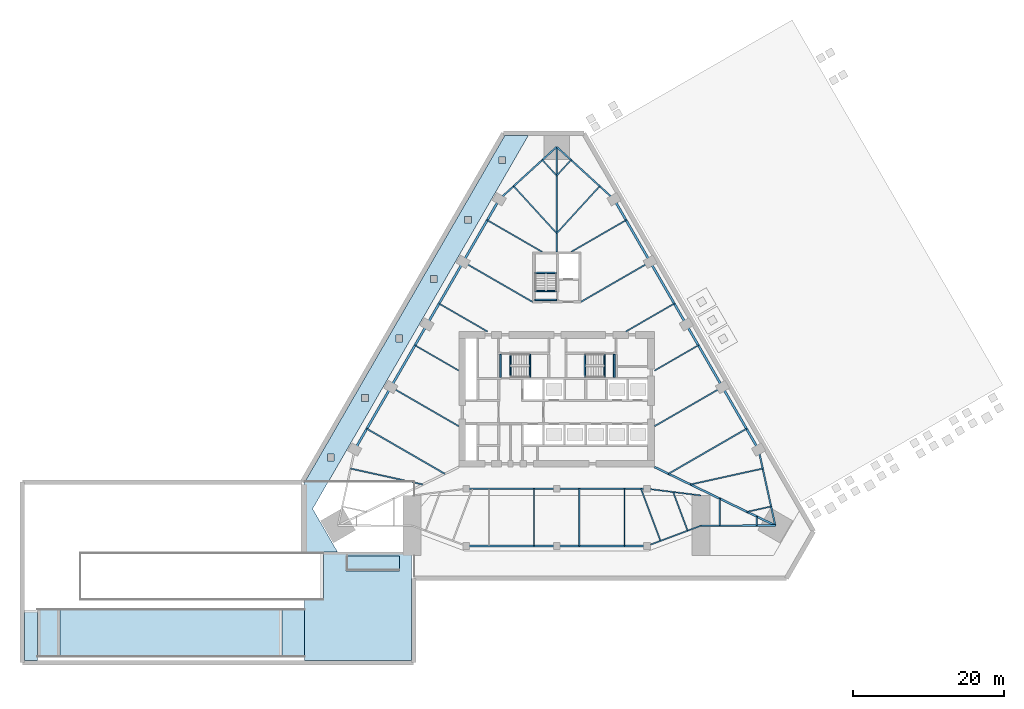
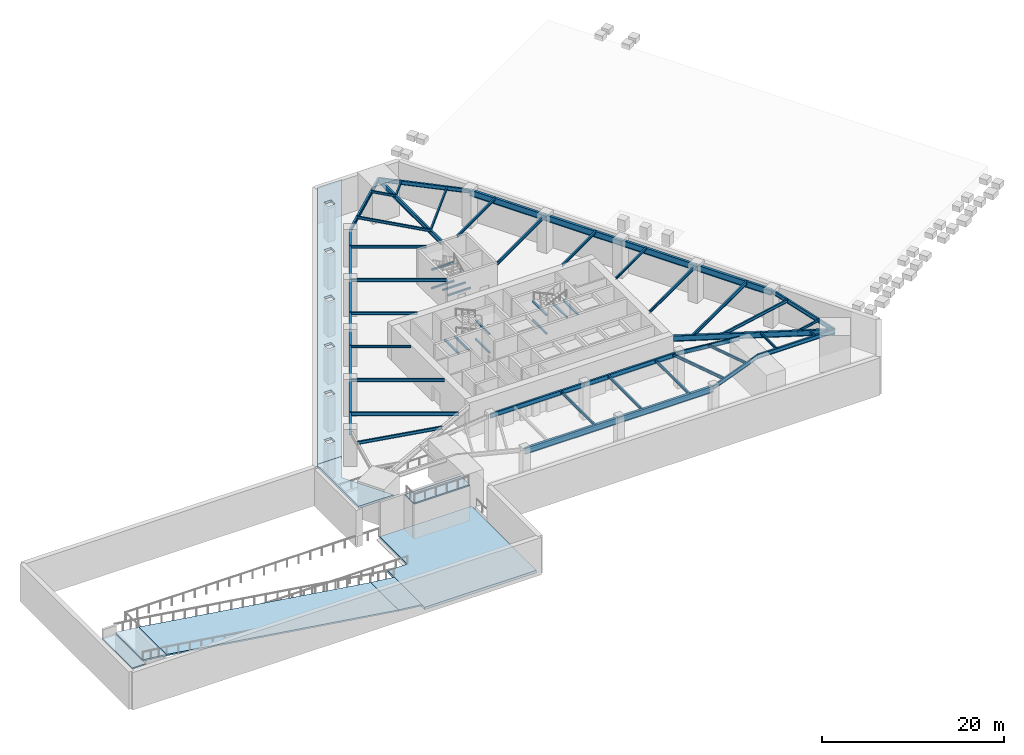
# One storey, part 2 of 9: 53 beams, 8 slabs.
"""IFC4 building model written with IfcOpenShell, lengths in metres."""

from ifc_helpers import new_model, si_unit, direction, frame, origin, origin_2d, place, context, subcontext, project, spatial, polyline, rectangle, i_section, outline, extrude, material, layer, layer_set, material_profile, profile_set, type_object, element, save


model = new_model("IFC4")

# Units and contexts
model_context = context("Model", 3, precision=1e-05, world=origin(), true_north=direction((0.0, 1.0)))
body_context = subcontext(model_context, "Body", "Model", "MODEL_VIEW")
ifc_project = project(units=[si_unit("LENGTHUNIT", "METRE"), si_unit("AREAUNIT", "SQUARE_METRE"), si_unit("VOLUMEUNIT", "CUBIC_METRE"), si_unit("PLANEANGLEUNIT", "RADIAN"), si_unit("MASSUNIT", "GRAM", prefix="KILO")], contexts=[model_context])

# Site, building, storey
site_placement = place(None, origin())
site = spatial("IfcSite", under=ifc_project, at=site_placement, CompositionType="ELEMENT")
building_placement = place(site_placement, origin())
building = spatial("IfcBuilding", under=site, at=building_placement, Name="Firuza Gate Tower and Library", CompositionType="ELEMENT")
storey_placement = place(building_placement, frame((0.0, 0.0, -5.0)))
storey = spatial("IfcBuildingStorey", under=building, at=storey_placement, Name="B1", CompositionType="ELEMENT", Elevation=-5.0)

# Beams
ifc_material_1 = material(Name="Concrete C35/45", Category="concrete")
ifc_material_profile_1 = material_profile(ifc_material_1, rectangle(XDim=0.199951171875, YDim=0.199951171875, at=origin_2d()))
ifc_profile_set_1 = profile_set([ifc_material_profile_1], Name="Concrete C35/45")
beam_type_1 = type_object("IfcBeamType", Name="Stair landing bearer 200x200", PredefinedType="BEAM", material=ifc_profile_set_1)
for number, where, z_axis, x_axis, name in (
    (1, (71.455078125, 77.89990234375, 0.949951171875), (0.0, 1.0, 0.0), (-1.0, 0.0, 0.0), "Landing bearer B1 stair 1"),
    (2, (68.840087890625, 77.89990234375, 2.199951171875), (0.0, 1.0, 0.0), (-1.0, 0.0, 0.0), "Landing bearer B1 stair 1"),
    (3, (67.550048828125, 77.89990234375, 2.199951171875), (0.0, 1.0, 0.0), (-1.0, 0.0, 0.0), "Landing bearer B1 stair 1"),
    (4, (71.455078125, 77.89990234375, 3.449951171875), (0.0, 1.0, 0.0), (-1.0, 0.0, 0.0), "Landing bearer B1 stair 1"),
    (5, (78.7451171875, 80.97998046875, 0.949951171875), (0.0, -1.0, 0.0), (1.0, 0.0, 0.0), "Landing bearer B1 stair 2"),
    (6, (81.360107421875, 80.97998046875, 2.199951171875), (0.0, -1.0, 0.0), (1.0, 0.0, 0.0), "Landing bearer B1 stair 2"),
    (7, (82.64990234375, 80.97998046875, 2.199951171875), (0.0, -1.0, 0.0), (1.0, 0.0, 0.0), "Landing bearer B1 stair 2"),
    (8, (78.7451171875, 80.97998046875, 3.449951171875), (0.0, -1.0, 0.0), (1.0, 0.0, 0.0), "Landing bearer B1 stair 2"),
):
    element("IfcBeam", number, at=place(storey_placement, frame(where, z_axis=z_axis, x_axis=x_axis)), inside=storey, type_object=beam_type_1, Name=name, PredefinedType="BEAM", context=body_context, shape_type="SweptSolid", body=[
        extrude(rectangle(XDim=0.199951171875, YDim=0.199951171875, at=origin_2d()), origin(), (0.0, 0.0, 1.0), 3.080078125),
    ])
for number, where, z_axis, x_axis, name in (
    (9, (75.0, 91.81005859375, 0.949951171875), (-1.0, 0.0, 0.0), (0.0, -1.0, 0.0), "Landing bearer B1 stair 3"),
    (10, (75.0, 89.3701171875, 2.199951171875), (-1.0, 0.0, 0.0), (0.0, -1.0, 0.0), "Landing bearer B1 stair 3"),
    (11, (75.0, 88.199951171875, 2.199951171875), (-1.0, 0.0, 0.0), (0.0, -1.0, 0.0), "Landing bearer B1 stair 3"),
    (12, (75.0, 91.81005859375, 3.449951171875), (-1.0, 0.0, 0.0), (0.0, -1.0, 0.0), "Landing bearer B1 stair 3"),
):
    element("IfcBeam", number, at=place(storey_placement, frame(where, z_axis=z_axis, x_axis=x_axis)), inside=storey, type_object=beam_type_1, Name=name, PredefinedType="BEAM", context=body_context, shape_type="SweptSolid", body=[
        extrude(rectangle(XDim=0.199951171875, YDim=0.199951171875, at=origin_2d()), origin(), (0.0, 0.0, 1.0), 2.89990234375),
    ])
ifc_material_2 = material(Name="Steel S355", Category="steel")
ifc_material_profile_2 = material_profile(ifc_material_2, i_section(OverallWidth=0.1650390625, OverallDepth=0.31005859375, WebThickness=0.005859375, FlangeThickness=0.009765625, at=origin_2d()))
ifc_profile_set_2 = profile_set([ifc_material_profile_2], Name="Steel S355")
beam_type_2 = type_object("IfcBeamType", Name="W310x39 Floor beam", PredefinedType="JOIST", material=ifc_profile_set_2)
beam_1_placement = place(storey_placement, frame((92.39990234375, 57.540283203125, 4.544921875), z_axis=(-0.351094204277, 0.93634014104, 0.0), x_axis=(-0.93634014104, -0.351094204277, 0.0)))
element("IfcBeam", 13, at=beam_1_placement, inside=storey, type_object=beam_type_2, Name="Floor beam B1 s41", PredefinedType="JOIST", context=body_context, shape_type="SweptSolid", body=[
    extrude(i_section(OverallWidth=0.1650390625, OverallDepth=0.31005859375, WebThickness=0.005859375, FlangeThickness=0.009765625, at=origin_2d()), origin(), (0.0, 0.0, 1.0), 5.49072265625),
])
beam_2_placement = place(storey_placement, frame((96.660400390625, 58.2197265625, 4.544921875), z_axis=(-0.001836107072, 0.999998314354, 0.0), x_axis=(-0.999998314354, -0.001836107072, 0.0)))
element("IfcBeam", 14, at=beam_2_placement, inside=storey, type_object=beam_type_2, Name="Floor beam B1 s50", PredefinedType="JOIST", context=body_context, shape_type="SweptSolid", body=[
    extrude(i_section(OverallWidth=0.1650390625, OverallDepth=0.31005859375, WebThickness=0.005859375, FlangeThickness=0.009765625, at=origin_2d()), origin(), (0.0, 0.0, 1.0), 3.590087890625),
])
beam_3_placement = place(storey_placement, frame((101.580810546875, 58.228759765625, 4.544921875), z_axis=(-0.00183635683, 0.999998313895, 0.0), x_axis=(-0.999998313895, -0.00183635683, 0.0)))
element("IfcBeam", 15, at=beam_3_placement, inside=storey, type_object=beam_type_2, Name="Floor beam B1 s51", PredefinedType="JOIST", context=body_context, shape_type="SweptSolid", body=[
    extrude(i_section(OverallWidth=0.1650390625, OverallDepth=0.31005859375, WebThickness=0.005859375, FlangeThickness=0.009765625, at=origin_2d()), origin(), (0.0, 0.0, 1.0), 1.196533203125),
])
beam_4_placement = place(storey_placement, frame((103.486083984375, 60.75341796875, 4.544921875), z_axis=(-0.976601243751, -0.215058156564, 0.0), x_axis=(0.215058156564, -0.976601243751, 0.0)))
element("IfcBeam", 16, at=beam_4_placement, inside=storey, type_object=beam_type_2, Name="Floor beam B1 s60", PredefinedType="JOIST", context=body_context, shape_type="SweptSolid", body=[
    extrude(i_section(OverallWidth=0.1650390625, OverallDepth=0.31005859375, WebThickness=0.005859375, FlangeThickness=0.009765625, at=origin_2d()), origin(), (0.0, 0.0, 1.0), 3.27294921875),
])
beam_5_placement = place(storey_placement, frame((93.820556640625, 82.171142578125, 4.544921875), z_axis=(-0.866019234261, -0.500010685776, 0.0), x_axis=(0.500010685776, -0.866019234261, 0.0)))
element("IfcBeam", 17, at=beam_5_placement, inside=storey, type_object=beam_type_2, Name="Floor beam B1 s72", PredefinedType="JOIST", context=body_context, shape_type="SweptSolid", body=[
    extrude(i_section(OverallWidth=0.1650390625, OverallDepth=0.31005859375, WebThickness=0.005859375, FlangeThickness=0.009765625, at=origin_2d()), origin(), (0.0, 0.0, 1.0), 6.720947265625),
])
for number, where, z_axis, x_axis, name in (
    (18, (76.905029296875, 106.79296875, 4.544921875), (-0.674533736892, -0.738244023203, 0.0), (0.738244023203, -0.674533736892, 0.0), "Floor beam B1 s81"),
    (19, (73.094970703125, 106.79296875, 4.544921875), (0.674533736892, -0.738244023203, 0.0), (0.738244023203, 0.674533736892, 0.0), "Floor beam B1 s90"),
):
    element("IfcBeam", number, at=place(storey_placement, frame(where, z_axis=z_axis, x_axis=x_axis)), inside=storey, type_object=beam_type_2, Name=name, PredefinedType="JOIST", context=body_context, shape_type="SweptSolid", body=[
        extrude(i_section(OverallWidth=0.1650390625, OverallDepth=0.31005859375, WebThickness=0.005859375, FlangeThickness=0.009765625, at=origin_2d()), origin(), (0.0, 0.0, 1.0), 2.82421875),
    ])
beam_6_placement = place(storey_placement, frame((56.179443359375, 82.171142578125, 4.544921875), z_axis=(0.866019234261, -0.500010685776, 0.0), x_axis=(0.500010685776, 0.866019234261, 0.0)))
element("IfcBeam", 20, at=beam_6_placement, inside=storey, type_object=beam_type_2, Name="Floor beam B1 s103", PredefinedType="JOIST", context=body_context, shape_type="SweptSolid", body=[
    extrude(i_section(OverallWidth=0.1650390625, OverallDepth=0.31005859375, WebThickness=0.005859375, FlangeThickness=0.009765625, at=origin_2d()), origin(), (0.0, 0.0, 1.0), 6.720947265625),
])
ifc_material_3 = material(Name="Steel S355", Category="steel")
ifc_material_profile_3 = material_profile(ifc_material_3, i_section(OverallWidth=0.1708984375, OverallDepth=0.35498046875, WebThickness=0.007080078125, FlangeThickness=0.01171875, at=origin_2d()))
ifc_profile_set_3 = profile_set([ifc_material_profile_3], Name="Steel S355")
beam_type_3 = type_object("IfcBeamType", Name="W360x51 Floor beam", PredefinedType="JOIST", material=ifc_profile_set_3)
for number, where, z_axis, x_axis, name in (
    (21, (72.0, 55.515380859375, 4.5224609375), (0.0, 1.0, 0.0), (-1.0, 0.0, 0.0), "Floor beam B1 s31"),
    (22, (78.0, 55.515380859375, 4.5224609375), (0.0, 1.0, 0.0), (-1.0, 0.0, 0.0), "Floor beam B1 s32"),
    (23, (84.0, 55.515380859375, 4.5224609375), (0.0, 1.0, 0.0), (-1.0, 0.0, 0.0), "Floor beam B1 s33"),
):
    element("IfcBeam", number, at=place(storey_placement, frame(where, z_axis=z_axis, x_axis=x_axis)), inside=storey, type_object=beam_type_3, Name=name, PredefinedType="JOIST", context=body_context, shape_type="SweptSolid", body=[
        extrude(i_section(OverallWidth=0.1708984375, OverallDepth=0.35498046875, WebThickness=0.007080078125, FlangeThickness=0.01171875, at=origin_2d()), origin(), (0.0, 0.0, 1.0), 7.60009765625),
    ])
beam_7_placement = place(storey_placement, frame((88.800048828125, 56.1904296875, 4.5224609375), z_axis=(-0.351127059117, 0.936327820988, 0.0), x_axis=(-0.936327820988, -0.351127059117, 0.0)))
element("IfcBeam", 24, at=beam_7_placement, inside=storey, type_object=beam_type_3, Name="Floor beam B1 s40", PredefinedType="JOIST", context=body_context, shape_type="SweptSolid", body=[
    extrude(i_section(OverallWidth=0.1708984375, OverallDepth=0.35498046875, WebThickness=0.007080078125, FlangeThickness=0.01171875, at=origin_2d()), origin(), (0.0, 0.0, 1.0), 7.39599609375),
])
beam_8_placement = place(storey_placement, frame((90.62060546875, 87.713623046875, 4.5224609375), z_axis=(-0.866023556141, -0.500003200199, 0.0), x_axis=(0.500003200199, -0.866023556141, 0.0)))
element("IfcBeam", 25, at=beam_8_placement, inside=storey, type_object=beam_type_3, Name="Floor beam B1 s73", PredefinedType="JOIST", context=body_context, shape_type="SweptSolid", body=[
    extrude(i_section(OverallWidth=0.1708984375, OverallDepth=0.35498046875, WebThickness=0.007080078125, FlangeThickness=0.01171875, at=origin_2d()), origin(), (0.0, 0.0, 1.0), 7.42724609375),
])
beam_9_placement = place(storey_placement, frame((84.220458984375, 98.798828125, 4.5224609375), z_axis=(-0.866019517829, -0.500010194636, 0.0), x_axis=(0.500010194636, -0.866019517829, 0.0)))
element("IfcBeam", 26, at=beam_9_placement, inside=storey, type_object=beam_type_3, Name="Floor beam B1 s75", PredefinedType="JOIST", context=body_context, shape_type="SweptSolid", body=[
    extrude(i_section(OverallWidth=0.1708984375, OverallDepth=0.35498046875, WebThickness=0.007080078125, FlangeThickness=0.01171875, at=origin_2d()), origin(), (0.0, 0.0, 1.0), 8.397216796875),
])
for number, where, z_axis, x_axis, name in (
    (27, (80.71533203125, 103.31103515625, 4.5224609375), (-0.674578139258, -0.7382034503, 0.0), (0.7382034503, -0.674578139258, 0.0), "Floor beam B1 s80"),
    (28, (69.28466796875, 103.31103515625, 4.5224609375), (0.674578139258, -0.7382034503, 0.0), (0.7382034503, 0.674578139258, 0.0), "Floor beam B1 s91"),
):
    element("IfcBeam", number, at=place(storey_placement, frame(where, z_axis=z_axis, x_axis=x_axis)), inside=storey, type_object=beam_type_3, Name=name, PredefinedType="JOIST", context=body_context, shape_type="SweptSolid", body=[
        extrude(i_section(OverallWidth=0.1708984375, OverallDepth=0.35498046875, WebThickness=0.007080078125, FlangeThickness=0.01171875, at=origin_2d()), origin(), (0.0, 0.0, 1.0), 8.472412109375),
    ])
beam_10_placement = place(storey_placement, frame((65.779541015625, 98.798828125, 4.5224609375), z_axis=(0.866019517829, -0.500010194636, 0.0), x_axis=(0.500010194636, 0.866019517829, 0.0)))
element("IfcBeam", 29, at=beam_10_placement, inside=storey, type_object=beam_type_3, Name="Floor beam B1 s100", PredefinedType="JOIST", context=body_context, shape_type="SweptSolid", body=[
    extrude(i_section(OverallWidth=0.1708984375, OverallDepth=0.35498046875, WebThickness=0.007080078125, FlangeThickness=0.01171875, at=origin_2d()), origin(), (0.0, 0.0, 1.0), 8.397216796875),
])
beam_11_placement = place(storey_placement, frame((59.37939453125, 87.713623046875, 4.5224609375), z_axis=(0.866023556141, -0.500003200199, 0.0), x_axis=(0.500003200199, 0.866023556141, 0.0)))
element("IfcBeam", 30, at=beam_11_placement, inside=storey, type_object=beam_type_3, Name="Floor beam B1 s102", PredefinedType="JOIST", context=body_context, shape_type="SweptSolid", body=[
    extrude(i_section(OverallWidth=0.1708984375, OverallDepth=0.35498046875, WebThickness=0.007080078125, FlangeThickness=0.01171875, at=origin_2d()), origin(), (0.0, 0.0, 1.0), 7.42724609375),
])
ifc_material_4 = material(Name="Steel S355", Category="steel")
ifc_material_profile_4 = material_profile(ifc_material_4, i_section(OverallWidth=0.177978515625, OverallDepth=0.406982421875, WebThickness=0.0078125, FlangeThickness=0.0126953125, at=origin_2d()))
ifc_profile_set_4 = profile_set([ifc_material_profile_4], Name="Steel S355")
beam_type_4 = type_object("IfcBeamType", Name="W410x60 Floor beam", PredefinedType="JOIST", material=ifc_profile_set_4)
for number, where, z_axis, x_axis, name in (
    (31, (47.624267578125, 65.794189453125, 4.49658203125), (0.97658964753, -0.215110809441, 0.0), (0.215110809441, 0.97658964753, 0.0), "Floor beam B1 s00"),
    (32, (102.375732421875, 65.794189453125, 4.49658203125), (-0.97658964753, -0.215110809441, 0.0), (0.215110809441, -0.97658964753, 0.0), "Floor beam B1 s61"),
):
    element("IfcBeam", number, at=place(storey_placement, frame(where, z_axis=z_axis, x_axis=x_axis)), inside=storey, type_object=beam_type_4, Name=name, PredefinedType="JOIST", context=body_context, shape_type="SweptSolid", body=[
        extrude(i_section(OverallWidth=0.177978515625, OverallDepth=0.406982421875, WebThickness=0.0078125, FlangeThickness=0.0126953125, at=origin_2d()), origin(), (0.0, 0.0, 1.0), 9.818359375),
    ])
beam_12_placement = place(storey_placement, frame((97.0205078125, 76.62841796875, 4.49658203125), z_axis=(-0.866024771944, -0.500001094379, 0.0), x_axis=(0.500001094379, -0.866024771944, 0.0)))
element("IfcBeam", 33, at=beam_12_placement, inside=storey, type_object=beam_type_4, Name="Floor beam B1 s71", PredefinedType="JOIST", context=body_context, shape_type="SweptSolid", body=[
    extrude(i_section(OverallWidth=0.177978515625, OverallDepth=0.406982421875, WebThickness=0.0078125, FlangeThickness=0.0126953125, at=origin_2d()), origin(), (0.0, 0.0, 1.0), 10.416015625),
])
for number, where, z_axis, x_axis, name in (
    (34, (87.420654296875, 93.256103515625, 4.49658203125), (-0.866029027547, -0.499993723407, 0.0), (0.499993723407, -0.866029027547, 0.0), "Floor beam B1 s74"),
    (35, (62.579345703125, 93.256103515625, 4.49658203125), (0.866029027547, -0.499993723407, 0.0), (0.499993723407, 0.866029027547, 0.0), "Floor beam B1 s101"),
):
    element("IfcBeam", number, at=place(storey_placement, frame(where, z_axis=z_axis, x_axis=x_axis)), inside=storey, type_object=beam_type_4, Name=name, PredefinedType="JOIST", context=body_context, shape_type="SweptSolid", body=[
        extrude(i_section(OverallWidth=0.177978515625, OverallDepth=0.406982421875, WebThickness=0.0078125, FlangeThickness=0.0126953125, at=origin_2d()), origin(), (0.0, 0.0, 1.0), 10.647216796875),
    ])
beam_13_placement = place(storey_placement, frame((52.9794921875, 76.62841796875, 4.49658203125), z_axis=(0.866024771944, -0.500001094379, 0.0), x_axis=(0.500001094379, 0.866024771944, 0.0)))
element("IfcBeam", 36, at=beam_13_placement, inside=storey, type_object=beam_type_4, Name="Floor beam B1 s104", PredefinedType="JOIST", context=body_context, shape_type="SweptSolid", body=[
    extrude(i_section(OverallWidth=0.177978515625, OverallDepth=0.406982421875, WebThickness=0.0078125, FlangeThickness=0.0126953125, at=origin_2d()), origin(), (0.0, 0.0, 1.0), 10.416015625),
])
ifc_material_5 = material(Name="Steel S355", Category="steel")
ifc_material_profile_5 = material_profile(ifc_material_5, i_section(OverallWidth=0.18994140625, OverallDepth=0.45703125, WebThickness=0.009033203125, FlangeThickness=0.014404296875, at=origin_2d()))
ifc_profile_set_5 = profile_set([ifc_material_profile_5], Name="Steel S355")
beam_type_5 = type_object("IfcBeamType", Name="W460x74 Floor beam", PredefinedType="JOIST", material=ifc_profile_set_5)
for number, where, z_axis, x_axis, name in (
    (37, (100.220458984375, 71.0859375, 4.471435546875), (-0.866020154196, -0.500009092443, 0.0), (0.500009092443, -0.866020154196, 0.0), "Floor beam B1 s70"),
    (38, (49.779541015625, 71.0859375, 4.471435546875), (0.866020154196, -0.500009092443, 0.0), (0.500009092443, 0.866020154196, 0.0), "Floor beam B1 s105"),
):
    element("IfcBeam", number, at=place(storey_placement, frame(where, z_axis=z_axis, x_axis=x_axis)), inside=storey, type_object=beam_type_5, Name=name, PredefinedType="JOIST", context=body_context, shape_type="SweptSolid", body=[
        extrude(i_section(OverallWidth=0.18994140625, OverallDepth=0.45703125, WebThickness=0.009033203125, FlangeThickness=0.014404296875, at=origin_2d()), origin(), (0.0, 0.0, 1.0), 11.968505859375),
    ])
ifc_material_6 = material(Name="Steel S355", Category="steel")
ifc_material_profile_6 = material_profile(ifc_material_6, i_section(OverallWidth=0.212890625, OverallDepth=0.5390625, WebThickness=0.01171875, FlangeThickness=0.018798828125, at=origin_2d()))
ifc_profile_set_6 = profile_set([ifc_material_profile_6], Name="Steel S355")
beam_type_6 = type_object("IfcBeamType", Name="W530x109 Edge beam", PredefinedType="SPANDREL", material=ifc_profile_set_6)
beam_14_placement = place(storey_placement, frame((94.199951171875, 58.21533203125, 4.430419921875), z_axis=(0.999998360207, 0.001810962051, 0.0), x_axis=(-0.001810962051, 0.999998360207, 0.0)))
element("IfcBeam", 39, at=beam_14_placement, inside=storey, type_object=beam_type_6, Name="Edge beam B1 e50", PredefinedType="SPANDREL", context=body_context, shape_type="SweptSolid", body=[
    extrude(i_section(OverallWidth=0.212890625, OverallDepth=0.5390625, WebThickness=0.01171875, FlangeThickness=0.018798828125, at=origin_2d()), origin(), (0.0, 0.0, 1.0), 9.84130859375),
])
for number, where, z_axis, x_axis, name in (
    (40, (104.041259765625, 58.233154296875, 4.430419921875), (-0.215117130091, 0.976588255275, 0.0), (-0.976588255275, -0.215117130091, 0.0), "Edge beam B1 e60"),
    (41, (82.62060546875, 101.570068359375, 4.430419921875), (-0.738199730284, 0.674582210118, 0.0), (-0.674582210118, -0.738199730284, 0.0), "Edge beam B1 e80"),
    (42, (75.0, 108.533935546875, 4.430419921875), (-0.738199730284, -0.674582210118, 0.0), (0.674582210118, -0.738199730284, 0.0), "Edge beam B1 e90"),
):
    element("IfcBeam", number, at=place(storey_placement, frame(where, z_axis=z_axis, x_axis=x_axis)), inside=storey, type_object=beam_type_6, Name=name, PredefinedType="SPANDREL", context=body_context, shape_type="SweptSolid", body=[
        extrude(i_section(OverallWidth=0.212890625, OverallDepth=0.5390625, WebThickness=0.01171875, FlangeThickness=0.018798828125, at=origin_2d()), origin(), (0.0, 0.0, 1.0), 10.3232421875),
    ])
ifc_material_7 = material(Name="Steel S355", Category="steel")
ifc_material_profile_7 = material_profile(ifc_material_7, i_section(OverallWidth=0.166015625, OverallDepth=0.534912109375, WebThickness=0.01025390625, FlangeThickness=0.0166015625, at=origin_2d()))
ifc_profile_set_7 = profile_set([ifc_material_profile_7], Name="Steel S355")
beam_type_7 = type_object("IfcBeamType", Name="W530x85 Edge beam", PredefinedType="SPANDREL", material=ifc_profile_set_7)
beam_15_placement = place(storey_placement, frame((87.0, 55.515380859375, 4.4326171875), z_axis=(0.936330482345, 0.351119962166, 0.0), x_axis=(-0.351119962166, 0.936330482345, 0.0)))
element("IfcBeam", 43, at=beam_15_placement, inside=storey, type_object=beam_type_7, Name="Edge beam B1 e40", PredefinedType="SPANDREL", context=body_context, shape_type="SweptSolid", body=[
    extrude(i_section(OverallWidth=0.166015625, OverallDepth=0.534912109375, WebThickness=0.01025390625, FlangeThickness=0.0166015625, at=origin_2d()), origin(), (0.0, 0.0, 1.0), 7.689453125),
])
beam_16_placement = place(storey_placement, frame((87.0, 63.115478515625, 4.4326171875), z_axis=(0.992275288289, -0.124055440233, 0.0), x_axis=(0.124055440233, 0.992275288289, 0.0)))
element("IfcBeam", 44, at=beam_16_placement, inside=storey, type_object=beam_type_7, Name="Edge beam B1 x03", PredefinedType="SPANDREL", context=body_context, shape_type="SweptSolid", body=[
    extrude(i_section(OverallWidth=0.166015625, OverallDepth=0.534912109375, WebThickness=0.01025390625, FlangeThickness=0.0166015625, at=origin_2d()), origin(), (0.0, 0.0, 1.0), 7.256103515625),
])
ifc_material_8 = material(Name="Steel S355", Category="steel")
ifc_material_profile_8 = material_profile(ifc_material_8, i_section(OverallWidth=0.22802734375, OverallDepth=0.60302734375, WebThickness=0.010498046875, FlangeThickness=0.014892578125, at=origin_2d()))
ifc_profile_set_8 = profile_set([ifc_material_profile_8], Name="Steel S355")
beam_type_8 = type_object("IfcBeamType", Name="W610x101 Girder", PredefinedType="BEAM", material=ifc_profile_set_8)
beam_17_placement = place(storey_placement, frame((75.0, 108.533935546875, 4.3984375), z_axis=(0.0, -1.0, 0.0), x_axis=(1.0, 0.0, 0.0)))
element("IfcBeam", 45, at=beam_17_placement, inside=storey, type_object=beam_type_8, Name="Girder B1 gN", PredefinedType="BEAM", context=body_context, shape_type="SweptSolid", body=[
    extrude(i_section(OverallWidth=0.22802734375, OverallDepth=0.60302734375, WebThickness=0.010498046875, FlangeThickness=0.014892578125, at=origin_2d()), origin(), (0.0, 0.0, 1.0), 13.933837890625),
])
ifc_material_9 = material(Name="Steel S355", Category="steel")
ifc_material_profile_9 = material_profile(ifc_material_9, i_section(OverallWidth=0.22900390625, OverallDepth=0.612060546875, WebThickness=0.011962890625, FlangeThickness=0.01953125, at=origin_2d()))
ifc_profile_set_9 = profile_set([ifc_material_profile_9], Name="Steel S355")
beam_type_9 = type_object("IfcBeamType", Name="W610x125 Edge beam", PredefinedType="SPANDREL", material=ifc_profile_set_9)
for number, where, z_axis, x_axis, name in (
    (46, (63.0, 63.115478515625, 4.39404296875), (1.0, 0.0, 0.0), (0.0, 1.0, 0.0), "Edge beam B1 x01"),
    (47, (75.0, 63.115478515625, 4.39404296875), (1.0, 0.0, 0.0), (0.0, 1.0, 0.0), "Edge beam B1 x02"),
):
    element("IfcBeam", number, at=place(storey_placement, frame(where, z_axis=z_axis, x_axis=x_axis)), inside=storey, type_object=beam_type_9, Name=name, PredefinedType="SPANDREL", context=body_context, shape_type="SweptSolid", body=[
        extrude(i_section(OverallWidth=0.22900390625, OverallDepth=0.612060546875, WebThickness=0.011962890625, FlangeThickness=0.01953125, at=origin_2d()), origin(), (0.0, 0.0, 1.0), 12.0),
    ])
ifc_material_10 = material(Name="Steel S355", Category="steel")
ifc_material_profile_10 = material_profile(ifc_material_10, i_section(OverallWidth=0.264892578125, OverallDepth=0.7529296875, WebThickness=0.01318359375, FlangeThickness=0.01708984375, at=origin_2d()))
ifc_profile_set_10 = profile_set([ifc_material_profile_10], Name="Steel S355")
beam_type_10 = type_object("IfcBeamType", Name="W760x147 Girder", PredefinedType="BEAM", material=ifc_profile_set_10)
beam_18_placement = place(storey_placement, frame((104.041259765625, 58.233154296875, 4.323486328125), z_axis=(-0.900050421894, 0.43578577082, 0.0), x_axis=(-0.43578577082, -0.900050421894, 0.0)))
element("IfcBeam", 48, at=beam_18_placement, inside=storey, type_object=beam_type_10, Name="Girder B1 gSE", PredefinedType="BEAM", context=body_context, shape_type="SweptSolid", body=[
    extrude(i_section(OverallWidth=0.264892578125, OverallDepth=0.7529296875, WebThickness=0.01318359375, FlangeThickness=0.01708984375, at=origin_2d()), origin(), (0.0, 0.0, 1.0), 17.822509765625),
])
ifc_material_11 = material(Name="Steel S355", Category="steel")
ifc_material_profile_11 = material_profile(ifc_material_11, i_section(OverallWidth=0.2919921875, OverallDepth=0.8349609375, WebThickness=0.013916015625, FlangeThickness=0.018798828125, at=origin_2d()))
ifc_profile_set_11 = profile_set([ifc_material_profile_11], Name="Steel S355")
beam_type_11 = type_object("IfcBeamType", Name="W840x176 Edge beam", PredefinedType="SPANDREL", material=ifc_profile_set_11)
beam_19_placement = place(storey_placement, frame((63.0, 55.515380859375, 4.282470703125), z_axis=(1.0, 0.0, 0.0), x_axis=(0.0, 1.0, 0.0)))
element("IfcBeam", 49, at=beam_19_placement, inside=storey, type_object=beam_type_11, Name="Edge beam B1 e30", PredefinedType="SPANDREL", context=body_context, shape_type="SweptSolid", body=[
    extrude(i_section(OverallWidth=0.2919921875, OverallDepth=0.8349609375, WebThickness=0.013916015625, FlangeThickness=0.018798828125, at=origin_2d()), origin(), (0.0, 0.0, 1.0), 24.0),
])
for number, where, z_axis, x_axis, name in (
    (50, (101.820556640625, 68.314697265625, 4.282470703125), (-0.500003864429, 0.866023172644, 0.0), (-0.866023172644, -0.500003864429, 0.0), "Edge beam B1 e70"),
    (51, (92.220458984375, 84.9423828125, 4.282470703125), (-0.499994327668, 0.866028678682, 0.0), (-0.866028678682, -0.499994327668, 0.0), "Edge beam B1 e72"),
    (52, (67.37939453125, 101.570068359375, 4.282470703125), (-0.499994327668, -0.866028678682, 0.0), (0.866028678682, -0.499994327668, 0.0), "Edge beam B1 e100"),
    (53, (57.779541015625, 84.9423828125, 4.282470703125), (-0.500003864429, -0.866023172644, 0.0), (0.866023172644, -0.500003864429, 0.0), "Edge beam B1 e102"),
):
    element("IfcBeam", number, at=place(storey_placement, frame(where, z_axis=z_axis, x_axis=x_axis)), inside=storey, type_object=beam_type_11, Name=name, PredefinedType="SPANDREL", context=body_context, shape_type="SweptSolid", body=[
        extrude(i_section(OverallWidth=0.2919921875, OverallDepth=0.8349609375, WebThickness=0.013916015625, FlangeThickness=0.018798828125, at=origin_2d()), origin(), (0.0, 0.0, 1.0), 19.199951171875),
    ])

# Slabs
ifc_material_12 = material(Name="Concrete C40/50", Category="concrete")
ifc_layer_1 = layer(ifc_material_12, 0.300048828125)
ifc_layer_set_1 = layer_set([ifc_layer_1], Name="Apron deck 300 C40/50")
slab_type_1 = type_object("IfcSlabType", Name="Apron deck 300 C40/50", PredefinedType="FLOOR", material=ifc_layer_set_1)
placement_1 = place(storey_placement, frame((0.0, 0.0, 4.550048828125)))
element("IfcSlab", 54, at=placement_1, inside=storey, type_object=slab_type_1, Name="Apron deck over basement", PredefinedType="FLOOR", context=body_context, shape_type="SweptSolid", body=[
    extrude(outline(polyline([(41.531494140625, 64.0), (44.649169921875, 64.0), (71.226806640625, 110.033935546875), (68.109130859375, 110.033935546875), (41.531494140625, 64.0)]), holes=[polyline([(44.5302734375, 67.7236328125), (45.430419921875, 67.7236328125), (45.430419921875, 66.82373046875), (44.5302734375, 66.82373046875), (44.5302734375, 67.7236328125)]), polyline([(49.08984375, 74.720947265625), (49.08984375, 75.620849609375), (49.98974609375, 75.620849609375), (49.98974609375, 74.720947265625), (49.08984375, 74.720947265625)]), polyline([(53.6494140625, 82.6181640625), (53.6494140625, 83.518310546875), (54.54931640625, 83.518310546875), (54.54931640625, 82.6181640625), (53.6494140625, 82.6181640625)]), polyline([(58.208984375, 90.515625), (58.208984375, 91.41552734375), (59.10888671875, 91.41552734375), (59.10888671875, 90.515625), (58.208984375, 90.515625)]), polyline([(62.768310546875, 98.412841796875), (62.768310546875, 99.31298828125), (63.66845703125, 99.31298828125), (63.66845703125, 98.412841796875), (62.768310546875, 98.412841796875)]), polyline([(67.327880859375, 106.310302734375), (67.327880859375, 107.210205078125), (68.227783203125, 107.210205078125), (68.227783203125, 106.310302734375), (67.327880859375, 106.310302734375)])]), origin(), (0.0, 0.0, 1.0), 0.300048828125),
])
element("IfcSlab", 55, at=placement_1, inside=storey, type_object=slab_type_1, Name="Apron deck over basement", PredefinedType="FLOOR", context=body_context, shape_type="SweptSolid", body=[
    extrude(outline(polyline([(41.419921875, 63.84130859375), (41.460693359375, 63.817626953125), (41.554443359375, 63.97998046875), (44.614501953125, 63.97998046875), (42.576904296875, 60.45068359375), (45.885498046875, 54.719970703125), (41.419921875, 54.719970703125), (41.419921875, 63.84130859375)])), origin(), (0.0, 0.0, 1.0), 0.300048828125),
])
ifc_material_13 = material(Name="Concrete C40/50", Category="concrete")
ifc_layer_2 = layer(ifc_material_13, 0.199951171875)
ifc_layer_set_2 = layer_set([ifc_layer_2], Name="Car park ramp slab 200 C40/50")
slab_type_2 = type_object("IfcSlabType", Name="Car park ramp slab 200 C40/50", PredefinedType="USERDEFINED", material=ifc_layer_set_2)
slab_3_placement = place(storey_placement, frame((6.0, 43.949951171875, 4.466796875), z_axis=(0.0, 0.0, 1.0), x_axis=(1.0, 0.0, 0.0)))
element("IfcSlab", 56, at=slab_3_placement, inside=storey, type_object=slab_type_2, Name="Car park ramp 1 slab 1", ObjectType="RAMP SLAB", PredefinedType="USERDEFINED", context=body_context, shape_type="SweptSolid", body=[
    extrude(outline(polyline([(0.0, 0.533203125), (3.0, 0.199951171875), (3.0, 0.0), (0.0, 0.333251953125), (0.0, 0.533203125)])), frame((0.0, 3.050048828125, 0.0), z_axis=(0.0, -1.0, 0.0), x_axis=(1.0, 0.0, 0.0)), (0.0, 0.0, 1.0), 6.10009765625),
])
slab_4_placement = place(storey_placement, frame((9.0, 43.949951171875, 0.13330078125), z_axis=(0.0, 0.0, 1.0), x_axis=(1.0, 0.0, 0.0)))
element("IfcSlab", 57, at=slab_4_placement, inside=storey, type_object=slab_type_2, Name="Car park ramp 1 slab 2", ObjectType="RAMP SLAB", PredefinedType="USERDEFINED", context=body_context, shape_type="SweptSolid", body=[
    extrude(outline(polyline([(0.0, 4.533447265625), (29.5, 0.199951171875), (29.5, 0.0), (0.0, 4.33349609375), (0.0, 4.533447265625)])), frame((0.0, 3.050048828125, 0.0), z_axis=(0.0, -1.0, 0.0), x_axis=(1.0, 0.0, 0.0)), (0.0, 0.0, 1.0), 6.10009765625),
])
slab_5_placement = place(storey_placement, frame((38.5, 43.949951171875, -0.199951171875), z_axis=(0.0, 0.0, 1.0), x_axis=(1.0, 0.0, 0.0)))
element("IfcSlab", 58, at=slab_5_placement, inside=storey, type_object=slab_type_2, Name="Car park ramp 1 slab 3", ObjectType="RAMP SLAB", PredefinedType="USERDEFINED", context=body_context, shape_type="SweptSolid", body=[
    extrude(outline(polyline([(0.0, 0.533203125), (3.0, 0.199951171875), (3.0, 0.0), (0.0, 0.333251953125), (0.0, 0.533203125)])), frame((0.0, 3.050048828125, 0.0), z_axis=(0.0, -1.0, 0.0), x_axis=(1.0, 0.0, 0.0)), (0.0, 0.0, 1.0), 6.10009765625),
])
ifc_material_14 = material(Name="Concrete C40/50", Category="concrete")
ifc_layer_3 = layer(ifc_material_14, 0.14990234375)
ifc_layer_set_3 = layer_set([ifc_layer_3], Name="Entrance apron deck 150 C40/50")
slab_type_3 = type_object("IfcSlabType", Name="Entrance apron deck 150 C40/50", PredefinedType="FLOOR", material=ifc_layer_set_3)
placement_2 = place(storey_placement, frame((0.0, 0.0, 4.699951171875)))
element("IfcSlab", 59, at=placement_2, inside=storey, type_object=slab_type_3, Name="Entrance apron deck", PredefinedType="FLOOR", context=body_context, shape_type="SweptSolid", body=[
    extrude(outline(polyline([(47.0, 52.199951171875), (54.10009765625, 52.199951171875), (54.10009765625, 54.14990234375), (47.0, 54.14990234375), (47.0, 52.199951171875)])), origin(), (0.0, 0.0, 1.0), 0.150146484375),
])
element("IfcSlab", 60, at=placement_2, inside=storey, type_object=slab_type_3, Name="Car ramp 1 street landing", PredefinedType="FLOOR", context=body_context, shape_type="SweptSolid", body=[
    extrude(outline(polyline([(4.300048828125, 40.300048828125), (6.0, 40.300048828125), (6.0, 47.0), (4.300048828125, 47.0), (4.300048828125, 40.300048828125)])), origin(), (0.0, 0.0, 1.0), 0.150146484375),
])
ifc_material_15 = material(Name="Concrete C40/50", Category="concrete")
ifc_layer_4 = layer(ifc_material_15, 0.35009765625)
ifc_layer_set_4 = layer_set([ifc_layer_4], Name="Ramp landing slab")
slab_type_4 = type_object("IfcSlabType", Name="Ramp landing slab", PredefinedType="LANDING", material=ifc_layer_set_4)
slab_8_placement = place(storey_placement, frame((0.0, 0.0, -0.35009765625)))
element("IfcSlab", 61, at=slab_8_placement, inside=storey, type_object=slab_type_4, Name="Ramp landing B1", PredefinedType="LANDING", context=body_context, shape_type="SweptSolid", body=[
    extrude(outline(polyline([(55.699951171875, 54.550048828125), (55.699951171875, 40.300048828125), (41.5, 40.300048828125), (41.5, 48.449951171875), (44.0, 48.449951171875), (44.0, 54.550048828125), (55.699951171875, 54.550048828125)])), origin(), (0.0, 0.0, 1.0), 0.35009765625),
])

save(model, "model.ifc")
